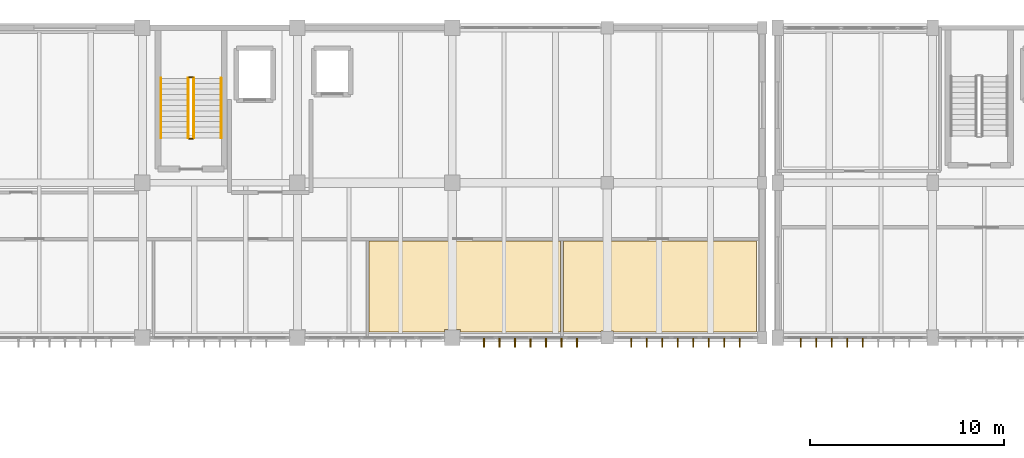
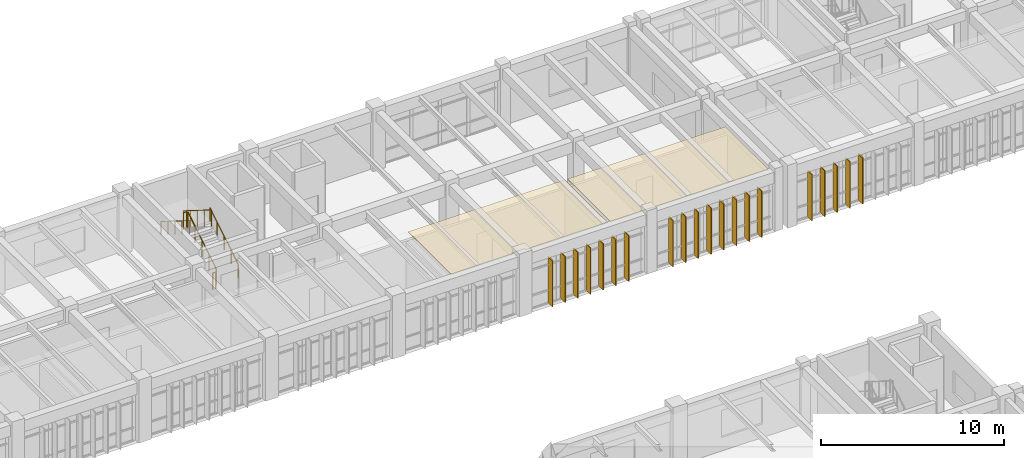
# One storey, part 63 of 67: 20 shading devices, 6 railings, 2 coverings.
"""IFC4 building model written with IfcOpenShell, lengths in metres."""

from ifc_helpers import new_model, si_unit, direction, frame, origin, origin_2d, place, context, subcontext, project, spatial, polyline, rectangle, circle, outline, extrude, material, layer, layer_set, type_object, element, save


model = new_model("IFC4")

# Units and contexts
model_context = context("Model", 3, precision=1e-05, world=origin(), true_north=direction((0.0, 1.0)))
body_context = subcontext(model_context, "Body", "Model", "MODEL_VIEW")
ifc_project = project(units=[si_unit("LENGTHUNIT", "METRE"), si_unit("AREAUNIT", "SQUARE_METRE"), si_unit("VOLUMEUNIT", "CUBIC_METRE"), si_unit("PLANEANGLEUNIT", "RADIAN"), si_unit("MASSUNIT", "GRAM", prefix="KILO")], contexts=[model_context])

# Site, building, storey
site_placement = place(None, origin())
site = spatial("IfcSite", under=ifc_project, at=site_placement, CompositionType="ELEMENT")
building_placement = place(site_placement, origin())
building = spatial("IfcBuilding", under=site, at=building_placement, Name="Tlaxcora Railside Police Headquarters", CompositionType="ELEMENT")
storey_placement = place(building_placement, frame((0.0, 0.0, 4.800048828125)))
storey = spatial("IfcBuildingStorey", under=building, at=storey_placement, Name="L01", CompositionType="ELEMENT", Elevation=4.800048828125)

# Coverings
ifc_material_1 = material(Name="Mineral-fibre acoustic ceiling tile")
ifc_layer_1 = layer(ifc_material_1, 0.034912109375, Name="Mineral-fibre acoustic ceiling tile")
ifc_layer_set_1 = layer_set([ifc_layer_1], Name="Mineral-fibre acoustic ceiling tile")
covering_type = type_object("IfcCoveringType", Name="Acoustic Suspended Ceiling CLG-01", PredefinedType="CEILING", material=ifc_layer_set_1)
covering_1_placement = place(storey_placement, frame((0.0, 0.0, 3.764892578125)))
element("IfcCovering", 1, at=covering_1_placement, inside=storey, type_object=covering_type, Name="Officer Wellness and Fitness Recovery Room suspended ceiling", PredefinedType="CEILING", context=body_context, shape_type="SweptSolid", body=[
    extrude(outline(polyline([(81.697021484375, 77.10009765625), (85.590087890625, 77.10009765625), (85.590087890625, 77.2099609375), (86.409912109375, 77.2099609375), (86.409912109375, 77.10009765625), (91.5791015625, 77.10009765625), (91.5791015625, 81.800048828125), (81.697021484375, 81.800048828125), (81.697021484375, 77.10009765625)])), origin(), (0.0, 0.0, 1.0), 0.03515625),
])
covering_2_placement = place(storey_placement, frame((0.0, 0.0, 3.764892578125)))
element("IfcCovering", 2, at=covering_2_placement, inside=storey, type_object=covering_type, Name="Records Digitisation Office suspended ceiling", PredefinedType="CEILING", context=body_context, shape_type="SweptSolid", body=[
    extrude(outline(polyline([(91.739013671875, 77.10009765625), (93.6650390625, 77.10009765625), (93.6650390625, 77.135009765625), (94.3349609375, 77.135009765625), (94.3349609375, 77.10009765625), (101.699951171875, 77.10009765625), (101.699951171875, 81.800048828125), (91.739013671875, 81.800048828125), (91.739013671875, 77.10009765625)])), origin(), (0.0, 0.0, 1.0), 0.03515625),
])

# Shading devices
ifc_material_2 = material(Name="Anodised aluminium framing", Category="aluminium")
ifc_layer_2 = layer(ifc_material_2, 0.054931640625, Name="Anodised aluminium framing")
ifc_layer_set_2 = layer_set([ifc_layer_2], Name="Anodised aluminium framing")
shading_device_type_1 = type_object("IfcShadingDeviceType", Name="Solar Control Fin SF-01", PredefinedType="JALOUSIE", material=ifc_layer_set_2)
for number, where, z_axis, x_axis, name in (
    (3, (87.637451171875, 76.5400390625, 0.039794921875), (0.0, 0.0, 1.0), (0.0, -1.0, 0.0), "Vertical solar fin 75"),
    (4, (88.4375, 76.5400390625, 0.039794921875), (0.0, 0.0, 1.0), (0.0, -1.0, 0.0), "Vertical solar fin 76"),
    (5, (89.237548828125, 76.5400390625, 0.039794921875), (0.0, 0.0, 1.0), (0.0, -1.0, 0.0), "Vertical solar fin 77"),
    (6, (90.03759765625, 76.5400390625, 0.039794921875), (0.0, 0.0, 1.0), (0.0, -1.0, 0.0), "Vertical solar fin 78"),
    (7, (90.83740234375, 76.5400390625, 0.039794921875), (0.0, 0.0, 1.0), (0.0, -1.0, 0.0), "Vertical solar fin 79"),
    (8, (91.637451171875, 76.5400390625, 0.039794921875), (0.0, 0.0, 1.0), (0.0, -1.0, 0.0), "Vertical solar fin 80"),
    (9, (92.4375, 76.5400390625, 0.039794921875), (0.0, 0.0, 1.0), (0.0, -1.0, 0.0), "Vertical solar fin 81"),
    (10, (95.237548828125, 76.5400390625, 0.039794921875), (0.0, 0.0, 1.0), (0.0, -1.0, 0.0), "Vertical solar fin 82"),
    (11, (96.03759765625, 76.5400390625, 0.039794921875), (0.0, 0.0, 1.0), (0.0, -1.0, 0.0), "Vertical solar fin 83"),
    (12, (96.83740234375, 76.5400390625, 0.039794921875), (0.0, 0.0, 1.0), (0.0, -1.0, 0.0), "Vertical solar fin 84"),
    (13, (97.637451171875, 76.5400390625, 0.039794921875), (0.0, 0.0, 1.0), (0.0, -1.0, 0.0), "Vertical solar fin 85"),
    (14, (98.4375, 76.5400390625, 0.039794921875), (0.0, 0.0, 1.0), (0.0, -1.0, 0.0), "Vertical solar fin 86"),
    (15, (99.237548828125, 76.5400390625, 0.039794921875), (0.0, 0.0, 1.0), (0.0, -1.0, 0.0), "Vertical solar fin 87"),
    (16, (100.03759765625, 76.5400390625, 0.039794921875), (0.0, 0.0, 1.0), (0.0, -1.0, 0.0), "Vertical solar fin 88"),
    (17, (100.83740234375, 76.5400390625, 0.039794921875), (0.0, 0.0, 1.0), (0.0, -1.0, 0.0), "Vertical solar fin 89"),
):
    element("IfcShadingDevice", number, at=place(storey_placement, frame(where, z_axis=z_axis, x_axis=x_axis)), inside=storey, type_object=shading_device_type_1, Name=name, PredefinedType="JALOUSIE", context=body_context, shape_type="SweptSolid", body=[
        extrude(rectangle(XDim=0.47998046875, YDim=0.054931640625, at=origin_2d()), origin(), (0.0, 0.0, 1.0), 3.080078125),
    ])
ifc_material_3 = material(Name="Bronze-anodised perforated aluminium sheet", Category="aluminium")
ifc_layer_3 = layer(ifc_material_3, 0.06494140625, Name="Bronze-anodised perforated aluminium sheet")
ifc_layer_set_3 = layer_set([ifc_layer_3], Name="Bronze-anodised perforated aluminium sheet")
shading_device_type_2 = type_object("IfcShadingDeviceType", Name="Solar Control Fin SF-02", PredefinedType="JALOUSIE", material=ifc_layer_set_3)
for number, where, z_axis, x_axis, name in (
    (18, (104.0, 76.5400390625, 0.039794921875), (0.0, 0.0, 1.0), (0.0, -1.0, 0.0), "Vertical solar fin 768"),
    (19, (104.800048828125, 76.5400390625, 0.039794921875), (0.0, 0.0, 1.0), (0.0, -1.0, 0.0), "Vertical solar fin 769"),
    (20, (105.60009765625, 76.5400390625, 0.039794921875), (0.0, 0.0, 1.0), (0.0, -1.0, 0.0), "Vertical solar fin 770"),
    (21, (106.39990234375, 76.5400390625, 0.039794921875), (0.0, 0.0, 1.0), (0.0, -1.0, 0.0), "Vertical solar fin 771"),
    (22, (107.199951171875, 76.5400390625, 0.039794921875), (0.0, 0.0, 1.0), (0.0, -1.0, 0.0), "Vertical solar fin 772"),
):
    element("IfcShadingDevice", number, at=place(storey_placement, frame(where, z_axis=z_axis, x_axis=x_axis)), inside=storey, type_object=shading_device_type_2, Name=name, PredefinedType="JALOUSIE", context=body_context, shape_type="SweptSolid", body=[
        extrude(rectangle(XDim=0.47998046875, YDim=0.054931640625, at=origin_2d()), origin(), (0.0, 0.0, 1.0), 3.080078125),
    ])

# Railings
ifc_material_4 = material(Name="Steel ASTM A992 Grade 50", Category="steel")
railing_type_1 = type_object("IfcRailingType", Name="Stair Well Guard Balustrade GR-02", PredefinedType="BALUSTRADE", material=ifc_material_4)
railing_1_placement = place(storey_placement, frame((72.659912109375, 87.110107421875, 0.175048828125)))
element("IfcRailing", 23, at=railing_1_placement, inside=storey, type_object=railing_type_1, Name="L01 ST2 stair guard 1", PredefinedType="BALUSTRADE", context=body_context, shape_type="SweptSolid", body=[
    extrude(circle(Radius=0.02392578125, at=origin_2d()), frame((0.0, 0.0, 1.09619140625), z_axis=(0.0, 0.848009633417, 0.529980812513), x_axis=(-1.0, 0.0, 0.0)), (0.0, 0.0, 1.0), 3.6318359375),
    extrude(circle(Radius=0.02099609375, at=origin_2d()), origin(), (0.0, 0.0, 1.0), 1.072021484375),
    extrude(circle(Radius=0.02099609375, at=origin_2d()), frame((0.0, 0.77001953125, 0.481201171875)), (0.0, 0.0, 1.0), 1.072021484375),
    extrude(circle(Radius=0.02099609375, at=origin_2d()), frame((0.0, 1.5400390625, 0.96240234375)), (0.0, 0.0, 1.0), 1.072021484375),
    extrude(circle(Radius=0.02099609375, at=origin_2d()), frame((0.0, 2.309814453125, 1.443603515625)), (0.0, 0.0, 1.0), 1.072021484375),
    extrude(circle(Radius=0.02099609375, at=origin_2d()), frame((0.0, 3.079833984375, 1.9248046875)), (0.0, 0.0, 1.0), 1.072021484375),
])
railing_2_placement = place(storey_placement, frame((72.610107421875, 90.239990234375, 2.099853515625)))
element("IfcRailing", 24, at=railing_2_placement, inside=storey, type_object=railing_type_1, Name="L01 ST2 stair guard 2", PredefinedType="BALUSTRADE", context=body_context, shape_type="SweptSolid", body=[
    extrude(circle(Radius=0.02392578125, at=origin_2d()), frame((0.0, 0.0, 1.09619140625), z_axis=(-1.0, 0.0, 0.0), x_axis=(0.0, -1.0, 0.0)), (0.0, 0.0, 1.0), 0.2001953125),
    extrude(circle(Radius=0.02099609375, at=origin_2d()), origin(), (0.0, 0.0, 1.0), 1.072021484375),
    extrude(circle(Radius=0.02099609375, at=origin_2d()), frame((-0.2001953125, 0.0, 0.0)), (0.0, 0.0, 1.0), 1.072021484375),
])
railing_3_placement = place(storey_placement, frame((72.360107421875, 90.18994140625, 2.27490234375)))
element("IfcRailing", 25, at=railing_3_placement, inside=storey, type_object=railing_type_1, Name="L01 ST2 stair guard 3", PredefinedType="BALUSTRADE", context=body_context, shape_type="SweptSolid", body=[
    extrude(circle(Radius=0.02392578125, at=origin_2d()), frame((0.0, 0.0, 1.09619140625), z_axis=(0.0, -0.847979421464, 0.530029150871), x_axis=(1.0, 0.0, 0.0)), (0.0, 0.0, 1.0), 3.632080078125),
    extrude(circle(Radius=0.02099609375, at=origin_2d()), origin(), (0.0, 0.0, 1.0), 1.072021484375),
    extrude(circle(Radius=0.02099609375, at=origin_2d()), frame((0.0, -0.77001953125, 0.481201171875)), (0.0, 0.0, 1.0), 1.072021484375),
    extrude(circle(Radius=0.02099609375, at=origin_2d()), frame((0.0, -1.5400390625, 0.96240234375)), (0.0, 0.0, 1.0), 1.072021484375),
    extrude(circle(Radius=0.02099609375, at=origin_2d()), frame((0.0, -2.309814453125, 1.44384765625)), (0.0, 0.0, 1.0), 1.072021484375),
    extrude(circle(Radius=0.02099609375, at=origin_2d()), frame((0.0, -3.079833984375, 1.925048828125)), (0.0, 0.0, 1.0), 1.072021484375),
])
railing_4_placement = place(storey_placement, frame((72.610107421875, 87.06005859375, 0.0)))
element("IfcRailing", 26, at=railing_4_placement, inside=storey, type_object=railing_type_1, Name="L01 ST2 stair guard 4", PredefinedType="BALUSTRADE", context=body_context, shape_type="SweptSolid", body=[
    extrude(circle(Radius=0.02392578125, at=origin_2d()), frame((0.0, 0.0, 1.09619140625), z_axis=(-1.0, 0.0, 0.0), x_axis=(0.0, -1.0, 0.0)), (0.0, 0.0, 1.0), 0.2001953125),
    extrude(circle(Radius=0.02099609375, at=origin_2d()), origin(), (0.0, 0.0, 1.0), 1.072021484375),
    extrude(circle(Radius=0.02099609375, at=origin_2d()), frame((-0.2001953125, 0.0, 0.0)), (0.0, 0.0, 1.0), 1.072021484375),
])
railing_type_2 = type_object("IfcRailingType", Name="Stair and Ramp Handrail HR-01", PredefinedType="HANDRAIL", material=ifc_material_4)
railing_5_placement = place(storey_placement, frame((74.06005859375, 87.110107421875, 0.175048828125)))
element("IfcRailing", 27, at=railing_5_placement, inside=storey, type_object=railing_type_2, Name="L01 ST2 stair handrail 1", PredefinedType="HANDRAIL", context=body_context, shape_type="SweptSolid", body=[
    extrude(circle(Radius=0.02392578125, at=origin_2d()), frame((0.0, 0.0, 0.8759765625), z_axis=(0.0, 0.848009633417, 0.529980812513), x_axis=(-1.0, 0.0, 0.0)), (0.0, 0.0, 1.0), 3.6318359375),
    extrude(circle(Radius=0.02099609375, at=origin_2d()), origin(), (0.0, 0.0, 1.0), 0.851806640625),
    extrude(circle(Radius=0.02099609375, at=origin_2d()), frame((0.0, 0.77001953125, 0.481201171875)), (0.0, 0.0, 1.0), 0.851806640625),
    extrude(circle(Radius=0.02099609375, at=origin_2d()), frame((0.0, 1.5400390625, 0.96240234375)), (0.0, 0.0, 1.0), 0.851806640625),
    extrude(circle(Radius=0.02099609375, at=origin_2d()), frame((0.0, 2.309814453125, 1.443603515625)), (0.0, 0.0, 1.0), 0.851806640625),
    extrude(circle(Radius=0.02099609375, at=origin_2d()), frame((0.0, 3.079833984375, 1.9248046875)), (0.0, 0.0, 1.0), 0.851806640625),
])
railing_6_placement = place(storey_placement, frame((70.9599609375, 90.18994140625, 2.27490234375)))
element("IfcRailing", 28, at=railing_6_placement, inside=storey, type_object=railing_type_2, Name="L01 ST2 stair handrail 2", PredefinedType="HANDRAIL", context=body_context, shape_type="SweptSolid", body=[
    extrude(circle(Radius=0.02392578125, at=origin_2d()), frame((0.0, 0.0, 0.8759765625), z_axis=(0.0, -0.847979421464, 0.530029150871), x_axis=(1.0, 0.0, 0.0)), (0.0, 0.0, 1.0), 3.632080078125),
    extrude(circle(Radius=0.02099609375, at=origin_2d()), origin(), (0.0, 0.0, 1.0), 0.851806640625),
    extrude(circle(Radius=0.02099609375, at=origin_2d()), frame((0.0, -0.77001953125, 0.481201171875)), (0.0, 0.0, 1.0), 0.851806640625),
    extrude(circle(Radius=0.02099609375, at=origin_2d()), frame((0.0, -1.5400390625, 0.96240234375)), (0.0, 0.0, 1.0), 0.851806640625),
    extrude(circle(Radius=0.02099609375, at=origin_2d()), frame((0.0, -2.309814453125, 1.44384765625)), (0.0, 0.0, 1.0), 0.851806640625),
    extrude(circle(Radius=0.02099609375, at=origin_2d()), frame((0.0, -3.079833984375, 1.925048828125)), (0.0, 0.0, 1.0), 0.851806640625),
])

save(model, "model.ifc")
